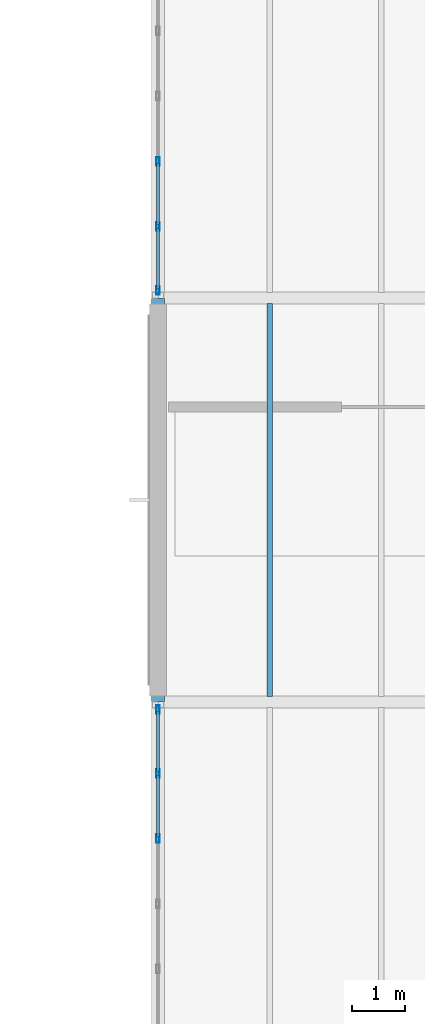
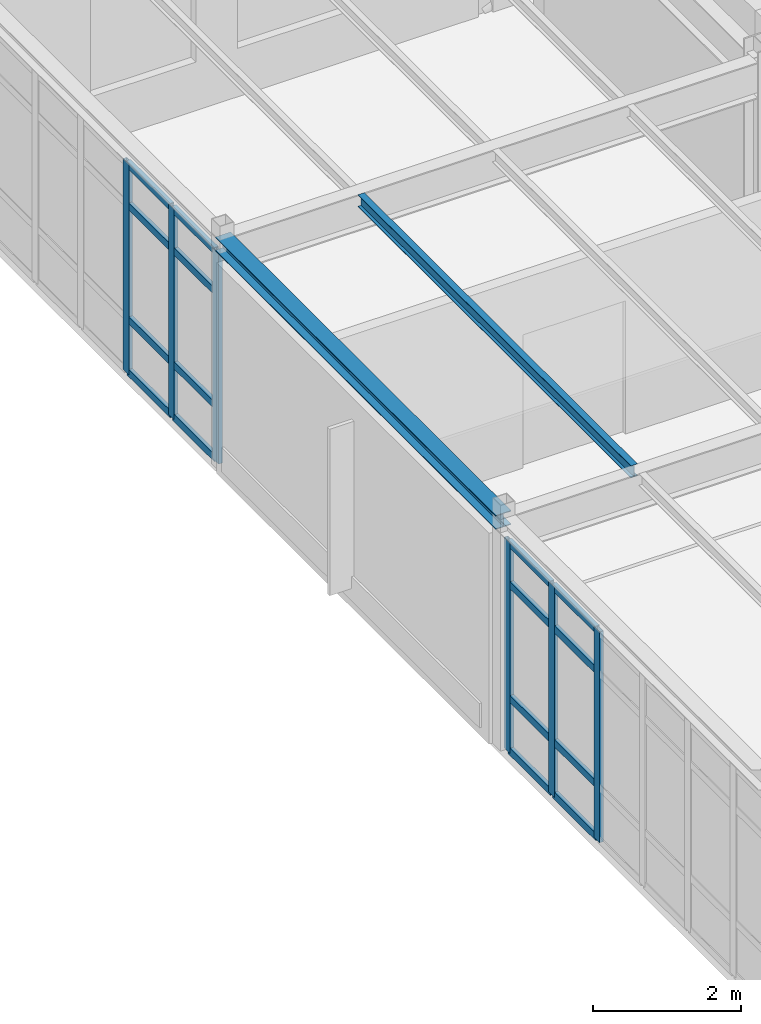
# One storey, part 43 of 114: 22 members, 2 beams, 2 elements without a shape of their own.
"""IFC4 building model written with IfcOpenShell, lengths in metres."""

from ifc_helpers import new_model, si_unit, direction, frame, origin, origin_2d, place, context, subcontext, project, spatial, hollow_rectangle, i_section, extrude, material, layer, layer_set, material_profile, profile_set, type_object, element, aggregate, save


model = new_model("IFC4")

# Units and contexts
model_context = context("Model", 3, precision=1e-05, world=origin(), true_north=direction((0.0, 1.0)))
body_context = subcontext(model_context, "Body", "Model", "MODEL_VIEW")
ifc_project = project(units=[si_unit("LENGTHUNIT", "METRE"), si_unit("AREAUNIT", "SQUARE_METRE"), si_unit("VOLUMEUNIT", "CUBIC_METRE"), si_unit("PLANEANGLEUNIT", "RADIAN"), si_unit("MASSUNIT", "GRAM", prefix="KILO")], contexts=[model_context])

# Site, building, storey
site_placement = place(None, origin())
site = spatial("IfcSite", under=ifc_project, at=site_placement, CompositionType="ELEMENT")
building_placement = place(site_placement, origin())
building = spatial("IfcBuilding", under=site, at=building_placement, Name="Montecoro Central Library", CompositionType="ELEMENT")
storey_placement = place(building_placement, frame((0.0, 0.0, 13.260009765625)))
storey = spatial("IfcBuildingStorey", under=building, at=storey_placement, Name="L03", CompositionType="ELEMENT", Elevation=13.260009765625)

# Beams
ifc_material_1 = material(Name="Steel S355", Category="steel")
ifc_material_profile_1 = material_profile(ifc_material_1, i_section(OverallWidth=0.10009765625, OverallDepth=0.199951171875, WebThickness=0.005615234375, FlangeThickness=0.008544921875, at=origin_2d()), Name="IPE 200")
ifc_profile_set_1 = profile_set([ifc_material_profile_1], Name="Steel S355")
beam_type_1 = type_object("IfcBeamType", Name="BM-J-IPE200", PredefinedType="JOIST", material=ifc_profile_set_1)
beam_1_placement = place(storey_placement, frame((68.5, 103.906982421875, 3.72509765625), z_axis=(0.0, 1.0, 0.0), x_axis=(-1.0, 0.0, 0.0)))
element("IfcBeam", 1, at=beam_1_placement, inside=storey, type_object=beam_type_1, Name="V2-L03-JS-910-PQ-1", PredefinedType="JOIST", context=body_context, shape_type="SweptSolid", body=[
    extrude(i_section(OverallWidth=0.10009765625, OverallDepth=0.199951171875, WebThickness=0.005615234375, FlangeThickness=0.008544921875, at=origin_2d()), origin(), (0.0, 0.0, 1.0), 7.385986328125),
])
ifc_material_profile_2 = material_profile(ifc_material_1, i_section(OverallWidth=0.239990234375, OverallDepth=0.22998046875, WebThickness=0.007568359375, FlangeThickness=0.011962890625, at=origin_2d()), Name="HEA 240")
ifc_profile_set_2 = profile_set([ifc_material_profile_2], Name="Steel S355")
beam_type_2 = type_object("IfcBeamType", Name="BM-SP-HEA240", PredefinedType="SPANDREL", material=ifc_profile_set_2)
beam_2_placement = place(storey_placement, frame((66.39990234375, 103.804931640625, 3.7099609375), z_axis=(0.0, 1.0, 0.0), x_axis=(-1.0, 0.0, 0.0)))
element("IfcBeam", 2, at=beam_2_placement, inside=storey, type_object=beam_type_2, Name="V2-L03-BY-9-PQ", PredefinedType="SPANDREL", context=body_context, shape_type="SweptSolid", body=[
    extrude(i_section(OverallWidth=0.239990234375, OverallDepth=0.22998046875, WebThickness=0.007568359375, FlangeThickness=0.011962890625, at=origin_2d()), origin(), (0.0, 0.0, 1.0), 7.590087890625),
])

# Curtain wall, members
ifc_material_2 = material(Name="Bronze-anodised aluminium and low-E glazing", Category="aluminium")
ifc_layer = layer(ifc_material_2, 0.159912109375)
ifc_layer_set = layer_set([ifc_layer], Name="Bronze-anodised aluminium and low-E glazing")
curtain_wall_type = type_object("IfcCurtainWallType", Name="CWT-020", PredefinedType="NOTDEFINED", material=ifc_layer_set)
curtain_wall_1_placement = place(storey_placement, origin())
curtain_wall_1 = element("IfcCurtainWall", 3, at=curtain_wall_1_placement, inside=storey, type_object=curtain_wall_type, Name="V2-L03-CW-W3", PredefinedType="NOTDEFINED")
ifc_material_3 = material(Name="Bronze-anodised aluminium", Category="aluminium")
ifc_material_profile_3 = material_profile(ifc_material_3, hollow_rectangle(XDim=0.06005859375, YDim=0.159912109375, WallThickness=0.00390625, at=origin_2d()), Name="CWM 160x60x4.0")
ifc_profile_set_3 = profile_set([ifc_material_profile_3], Name="Bronze-anodised aluminium")
member_type_1 = type_object("IfcMemberType", Name="CWM-BRZ-60", PredefinedType="MULLION", material=ifc_profile_set_3)
member_1_placement = place(storey_placement, frame((66.39990234375, 113.970947265625, 0.0), z_axis=(0.0, 0.0, 1.0), x_axis=(1.0, 0.0, 0.0)))
member_1 = element("IfcMember", 4, at=member_1_placement, type_object=member_type_1, Name="CW-020 mullion 5", PredefinedType="MULLION", context=body_context, shape_type="SweptSolid", body=[
    extrude(hollow_rectangle(XDim=0.06005859375, YDim=0.159912109375, WallThickness=0.00390625, at=origin_2d()), origin(), (0.0, 0.0, 1.0), 3.47998046875),
])
member_2_placement = place(storey_placement, frame((66.39990234375, 112.741943359375, 0.0), z_axis=(0.0, 0.0, 1.0), x_axis=(1.0, 0.0, 0.0)))
member_2 = element("IfcMember", 5, at=member_2_placement, type_object=member_type_1, Name="CW-020 mullion 6", PredefinedType="MULLION", context=body_context, shape_type="SweptSolid", body=[
    extrude(hollow_rectangle(XDim=0.06005859375, YDim=0.159912109375, WallThickness=0.00390625, at=origin_2d()), origin(), (0.0, 0.0, 1.0), 3.47998046875),
])
member_3_placement = place(storey_placement, frame((66.39990234375, 111.54296875, 0.0), z_axis=(0.0, 0.0, 1.0), x_axis=(1.0, 0.0, 0.0)))
member_3 = element("IfcMember", 6, at=member_3_placement, type_object=member_type_1, Name="CW-020 mullion 7", PredefinedType="MULLION", context=body_context, shape_type="SweptSolid", body=[
    extrude(hollow_rectangle(XDim=0.06005859375, YDim=0.159912109375, WallThickness=0.00390625, at=origin_2d()), origin(), (0.0, 0.0, 1.0), 3.47998046875),
])

curtain_wall_2_placement = place(storey_placement, origin())
curtain_wall_2 = element("IfcCurtainWall", 7, at=curtain_wall_2_placement, inside=storey, type_object=curtain_wall_type, Name="V2-L03-CW-W1", PredefinedType="NOTDEFINED")
member_4_placement = place(storey_placement, frame((66.39990234375, 103.656982421875, 0.0), z_axis=(0.0, 0.0, 1.0), x_axis=(1.0, 0.0, 0.0)))
member_4 = element("IfcMember", 8, at=member_4_placement, type_object=member_type_1, Name="CW-020 mullion 1", PredefinedType="MULLION", context=body_context, shape_type="SweptSolid", body=[
    extrude(hollow_rectangle(XDim=0.06005859375, YDim=0.159912109375, WallThickness=0.00390625, at=origin_2d()), origin(), (0.0, 0.0, 1.0), 3.47998046875),
])
member_5_placement = place(storey_placement, frame((66.39990234375, 102.4580078125, 0.0), z_axis=(0.0, 0.0, 1.0), x_axis=(1.0, 0.0, 0.0)))
member_5 = element("IfcMember", 9, at=member_5_placement, type_object=member_type_1, Name="CW-020 mullion 2", PredefinedType="MULLION", context=body_context, shape_type="SweptSolid", body=[
    extrude(hollow_rectangle(XDim=0.06005859375, YDim=0.159912109375, WallThickness=0.00390625, at=origin_2d()), origin(), (0.0, 0.0, 1.0), 3.47998046875),
])
member_6_placement = place(storey_placement, frame((66.39990234375, 101.22900390625, 0.0), z_axis=(0.0, 0.0, 1.0), x_axis=(1.0, 0.0, 0.0)))
member_6 = element("IfcMember", 10, at=member_6_placement, type_object=member_type_1, Name="CW-020 mullion 3", PredefinedType="MULLION", context=body_context, shape_type="SweptSolid", body=[
    extrude(hollow_rectangle(XDim=0.06005859375, YDim=0.159912109375, WallThickness=0.00390625, at=origin_2d()), origin(), (0.0, 0.0, 1.0), 3.47998046875),
])

# Member
ifc_material_profile_4 = material_profile(ifc_material_3, hollow_rectangle(XDim=0.06005859375, YDim=0.1201171875, WallThickness=0.00390625, at=origin_2d()), Name="CWT 120x60x4.0")
ifc_profile_set_4 = profile_set([ifc_material_profile_4], Name="Bronze-anodised aluminium")
member_type_2 = type_object("IfcMemberType", Name="CWT-BRZ-60", PredefinedType="USERDEFINED", material=ifc_profile_set_4)
member_7_placement = place(storey_placement, frame((66.39990234375, 113.94091796875, 0.030029296875), z_axis=(0.0, -1.0, 0.0), x_axis=(1.0, 0.0, 0.0)))
member_7 = element("IfcMember", 11, at=member_7_placement, type_object=member_type_2, Name="CW-020 transom 5.1", ObjectType="TRANSOM", PredefinedType="USERDEFINED", context=body_context, shape_type="SweptSolid", body=[
    extrude(hollow_rectangle(XDim=0.06005859375, YDim=0.1201171875, WallThickness=0.00390625, at=origin_2d()), origin(), (0.0, 0.0, 1.0), 1.1689453125),
])

member_8_placement = place(storey_placement, frame((66.39990234375, 113.94091796875, 0.89990234375), z_axis=(0.0, -1.0, 0.0), x_axis=(1.0, 0.0, 0.0)))
member_8 = element("IfcMember", 12, at=member_8_placement, type_object=member_type_2, Name="CW-020 transom 5.2", ObjectType="TRANSOM", PredefinedType="USERDEFINED", context=body_context, shape_type="SweptSolid", body=[
    extrude(hollow_rectangle(XDim=0.06005859375, YDim=0.1201171875, WallThickness=0.00390625, at=origin_2d()), origin(), (0.0, 0.0, 1.0), 1.1689453125),
])

member_9_placement = place(storey_placement, frame((66.39990234375, 113.94091796875, 2.780029296875), z_axis=(0.0, -1.0, 0.0), x_axis=(1.0, 0.0, 0.0)))
member_9 = element("IfcMember", 13, at=member_9_placement, type_object=member_type_2, Name="CW-020 transom 5.3", ObjectType="TRANSOM", PredefinedType="USERDEFINED", context=body_context, shape_type="SweptSolid", body=[
    extrude(hollow_rectangle(XDim=0.06005859375, YDim=0.1201171875, WallThickness=0.00390625, at=origin_2d()), origin(), (0.0, 0.0, 1.0), 1.1689453125),
])

member_10_placement = place(storey_placement, frame((66.39990234375, 113.94091796875, 3.449951171875), z_axis=(0.0, -1.0, 0.0), x_axis=(1.0, 0.0, 0.0)))
member_10 = element("IfcMember", 14, at=member_10_placement, type_object=member_type_2, Name="CW-020 transom 5.4", ObjectType="TRANSOM", PredefinedType="USERDEFINED", context=body_context, shape_type="SweptSolid", body=[
    extrude(hollow_rectangle(XDim=0.06005859375, YDim=0.1201171875, WallThickness=0.00390625, at=origin_2d()), origin(), (0.0, 0.0, 1.0), 1.1689453125),
])

member_11_placement = place(storey_placement, frame((66.39990234375, 112.7119140625, 0.030029296875), z_axis=(0.0, -1.0, 0.0), x_axis=(1.0, 0.0, 0.0)))
member_11 = element("IfcMember", 15, at=member_11_placement, type_object=member_type_2, Name="CW-020 transom 6.1", ObjectType="TRANSOM", PredefinedType="USERDEFINED", context=body_context, shape_type="SweptSolid", body=[
    extrude(hollow_rectangle(XDim=0.06005859375, YDim=0.1201171875, WallThickness=0.00390625, at=origin_2d()), origin(), (0.0, 0.0, 1.0), 1.138916015625),
])

member_12_placement = place(storey_placement, frame((66.39990234375, 112.7119140625, 0.89990234375), z_axis=(0.0, -1.0, 0.0), x_axis=(1.0, 0.0, 0.0)))
member_12 = element("IfcMember", 16, at=member_12_placement, type_object=member_type_2, Name="CW-020 transom 6.2", ObjectType="TRANSOM", PredefinedType="USERDEFINED", context=body_context, shape_type="SweptSolid", body=[
    extrude(hollow_rectangle(XDim=0.06005859375, YDim=0.1201171875, WallThickness=0.00390625, at=origin_2d()), origin(), (0.0, 0.0, 1.0), 1.138916015625),
])

member_13_placement = place(storey_placement, frame((66.39990234375, 112.7119140625, 2.780029296875), z_axis=(0.0, -1.0, 0.0), x_axis=(1.0, 0.0, 0.0)))
member_13 = element("IfcMember", 17, at=member_13_placement, type_object=member_type_2, Name="CW-020 transom 6.3", ObjectType="TRANSOM", PredefinedType="USERDEFINED", context=body_context, shape_type="SweptSolid", body=[
    extrude(hollow_rectangle(XDim=0.06005859375, YDim=0.1201171875, WallThickness=0.00390625, at=origin_2d()), origin(), (0.0, 0.0, 1.0), 1.138916015625),
])

member_14_placement = place(storey_placement, frame((66.39990234375, 112.7119140625, 3.449951171875), z_axis=(0.0, -1.0, 0.0), x_axis=(1.0, 0.0, 0.0)))
member_14 = element("IfcMember", 18, at=member_14_placement, type_object=member_type_2, Name="CW-020 transom 6.4", ObjectType="TRANSOM", PredefinedType="USERDEFINED", context=body_context, shape_type="SweptSolid", body=[
    extrude(hollow_rectangle(XDim=0.06005859375, YDim=0.1201171875, WallThickness=0.00390625, at=origin_2d()), origin(), (0.0, 0.0, 1.0), 1.138916015625),
])

aggregate(curtain_wall_1, [member_1, member_2, member_3, member_7, member_8, member_9, member_10, member_11, member_12, member_13, member_14])

member_15_placement = place(storey_placement, frame((66.39990234375, 103.626953125, 0.030029296875), z_axis=(0.0, -1.0, 0.0), x_axis=(1.0, 0.0, 0.0)))
member_15 = element("IfcMember", 19, at=member_15_placement, type_object=member_type_2, Name="CW-020 transom 1.1", ObjectType="TRANSOM", PredefinedType="USERDEFINED", context=body_context, shape_type="SweptSolid", body=[
    extrude(hollow_rectangle(XDim=0.06005859375, YDim=0.1201171875, WallThickness=0.00390625, at=origin_2d()), origin(), (0.0, 0.0, 1.0), 1.138916015625),
])

member_16_placement = place(storey_placement, frame((66.39990234375, 103.626953125, 0.89990234375), z_axis=(0.0, -1.0, 0.0), x_axis=(1.0, 0.0, 0.0)))
member_16 = element("IfcMember", 20, at=member_16_placement, type_object=member_type_2, Name="CW-020 transom 1.2", ObjectType="TRANSOM", PredefinedType="USERDEFINED", context=body_context, shape_type="SweptSolid", body=[
    extrude(hollow_rectangle(XDim=0.06005859375, YDim=0.1201171875, WallThickness=0.00390625, at=origin_2d()), origin(), (0.0, 0.0, 1.0), 1.138916015625),
])

member_17_placement = place(storey_placement, frame((66.39990234375, 103.626953125, 2.780029296875), z_axis=(0.0, -1.0, 0.0), x_axis=(1.0, 0.0, 0.0)))
member_17 = element("IfcMember", 21, at=member_17_placement, type_object=member_type_2, Name="CW-020 transom 1.3", ObjectType="TRANSOM", PredefinedType="USERDEFINED", context=body_context, shape_type="SweptSolid", body=[
    extrude(hollow_rectangle(XDim=0.06005859375, YDim=0.1201171875, WallThickness=0.00390625, at=origin_2d()), origin(), (0.0, 0.0, 1.0), 1.138916015625),
])

member_18_placement = place(storey_placement, frame((66.39990234375, 103.626953125, 3.449951171875), z_axis=(0.0, -1.0, 0.0), x_axis=(1.0, 0.0, 0.0)))
member_18 = element("IfcMember", 22, at=member_18_placement, type_object=member_type_2, Name="CW-020 transom 1.4", ObjectType="TRANSOM", PredefinedType="USERDEFINED", context=body_context, shape_type="SweptSolid", body=[
    extrude(hollow_rectangle(XDim=0.06005859375, YDim=0.1201171875, WallThickness=0.00390625, at=origin_2d()), origin(), (0.0, 0.0, 1.0), 1.138916015625),
])

member_19_placement = place(storey_placement, frame((66.39990234375, 102.427978515625, 0.030029296875), z_axis=(0.0, -1.0, 0.0), x_axis=(1.0, 0.0, 0.0)))
member_19 = element("IfcMember", 23, at=member_19_placement, type_object=member_type_2, Name="CW-020 transom 2.1", ObjectType="TRANSOM", PredefinedType="USERDEFINED", context=body_context, shape_type="SweptSolid", body=[
    extrude(hollow_rectangle(XDim=0.06005859375, YDim=0.1201171875, WallThickness=0.00390625, at=origin_2d()), origin(), (0.0, 0.0, 1.0), 1.1689453125),
])

member_20_placement = place(storey_placement, frame((66.39990234375, 102.427978515625, 0.89990234375), z_axis=(0.0, -1.0, 0.0), x_axis=(1.0, 0.0, 0.0)))
member_20 = element("IfcMember", 24, at=member_20_placement, type_object=member_type_2, Name="CW-020 transom 2.2", ObjectType="TRANSOM", PredefinedType="USERDEFINED", context=body_context, shape_type="SweptSolid", body=[
    extrude(hollow_rectangle(XDim=0.06005859375, YDim=0.1201171875, WallThickness=0.00390625, at=origin_2d()), origin(), (0.0, 0.0, 1.0), 1.1689453125),
])

member_21_placement = place(storey_placement, frame((66.39990234375, 102.427978515625, 2.780029296875), z_axis=(0.0, -1.0, 0.0), x_axis=(1.0, 0.0, 0.0)))
member_21 = element("IfcMember", 25, at=member_21_placement, type_object=member_type_2, Name="CW-020 transom 2.3", ObjectType="TRANSOM", PredefinedType="USERDEFINED", context=body_context, shape_type="SweptSolid", body=[
    extrude(hollow_rectangle(XDim=0.06005859375, YDim=0.1201171875, WallThickness=0.00390625, at=origin_2d()), origin(), (0.0, 0.0, 1.0), 1.1689453125),
])

member_22_placement = place(storey_placement, frame((66.39990234375, 102.427978515625, 3.449951171875), z_axis=(0.0, -1.0, 0.0), x_axis=(1.0, 0.0, 0.0)))
member_22 = element("IfcMember", 26, at=member_22_placement, type_object=member_type_2, Name="CW-020 transom 2.4", ObjectType="TRANSOM", PredefinedType="USERDEFINED", context=body_context, shape_type="SweptSolid", body=[
    extrude(hollow_rectangle(XDim=0.06005859375, YDim=0.1201171875, WallThickness=0.00390625, at=origin_2d()), origin(), (0.0, 0.0, 1.0), 1.1689453125),
])

aggregate(curtain_wall_2, [member_4, member_5, member_6, member_15, member_16, member_17, member_18, member_19, member_20, member_21, member_22])

save(model, "model.ifc")
